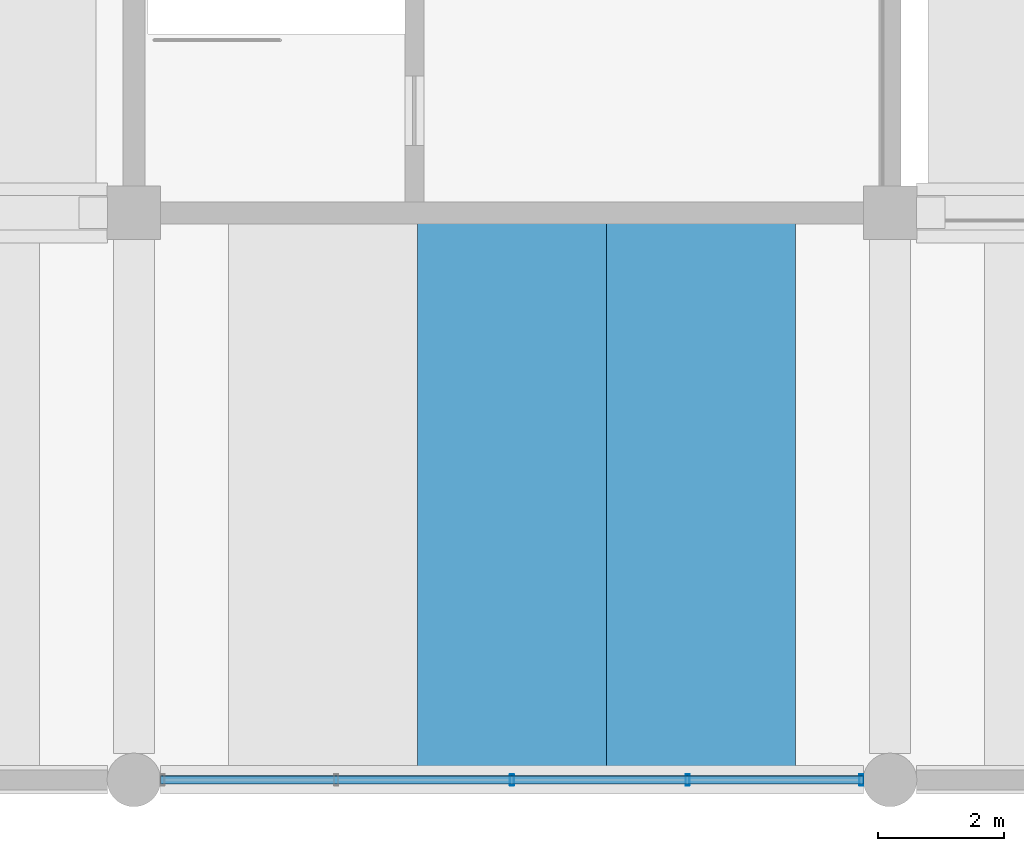
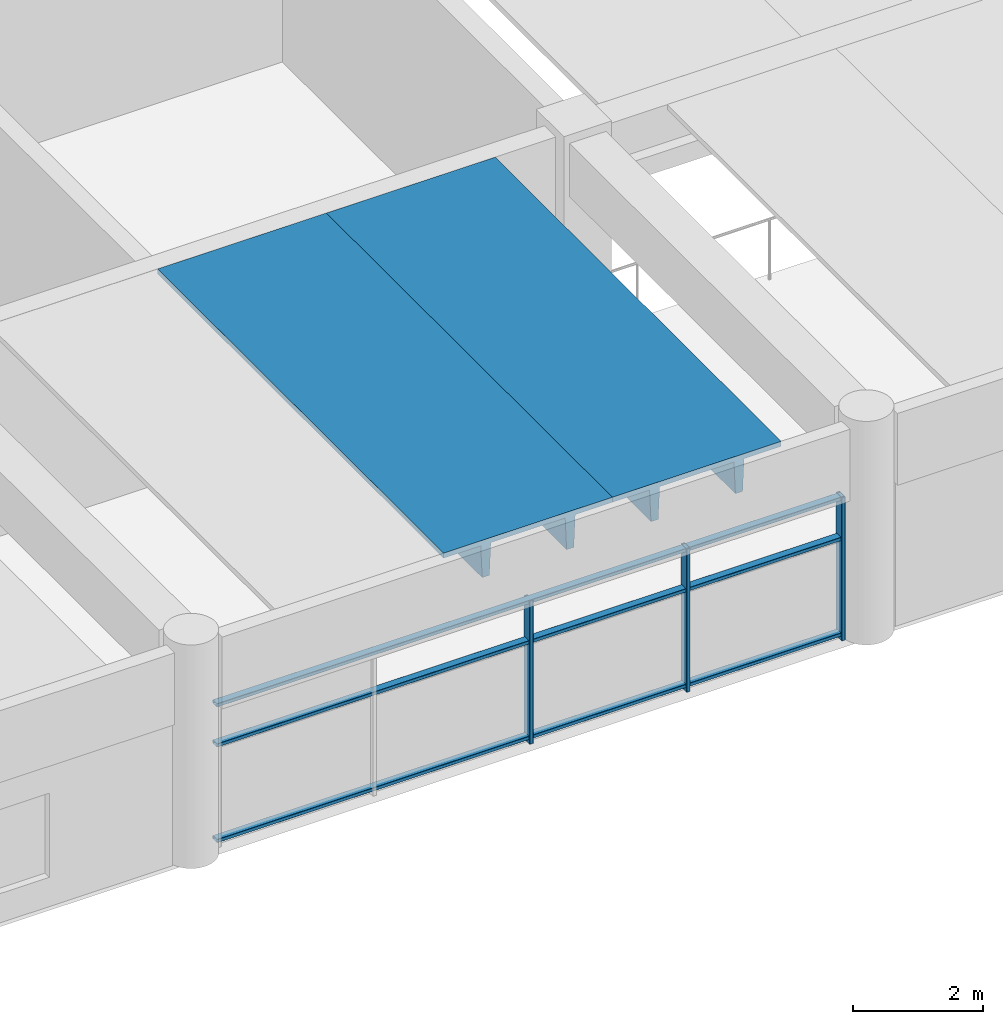
# One storey, part 4 of 50: 6 members, 2 beams, 1 element without a shape of its own.
"""IFC4 building model written with IfcOpenShell, lengths in metres."""

from ifc_helpers import new_model, si_unit, direction, frame, origin, origin_2d, place, context, subcontext, project, spatial, polyline, hollow_rectangle, outline, extrude, material, material_profile, profile_set, type_object, element, aggregate, save


model = new_model("IFC4")

# Units and contexts
model_context = context("Model", 3, precision=1e-05, world=origin(), true_north=direction((0.0, 1.0)))
body_context = subcontext(model_context, "Body", "Model", "MODEL_VIEW")
ifc_project = project(units=[si_unit("LENGTHUNIT", "METRE"), si_unit("AREAUNIT", "SQUARE_METRE"), si_unit("VOLUMEUNIT", "CUBIC_METRE"), si_unit("PLANEANGLEUNIT", "RADIAN"), si_unit("MASSUNIT", "GRAM", prefix="KILO")], contexts=[model_context])

# Site, building, storey
site_placement = place(None, origin())
site = spatial("IfcSite", under=ifc_project, at=site_placement, CompositionType="ELEMENT")
building_placement = place(site_placement, origin())
building = spatial("IfcBuilding", under=site, at=building_placement, Name="Girod Span Mobility Hub", CompositionType="ELEMENT")
storey_placement = place(building_placement, frame((0.0, 0.0, 5.39990234375)))
storey = spatial("IfcBuildingStorey", under=building, at=storey_placement, Name="L01", CompositionType="ELEMENT", Elevation=5.39990234375)

# Beams
ifc_material_1 = material(Name="Concrete C50/60", Category="concrete")
ifc_material_profile_1 = material_profile(ifc_material_1, outline(polyline([(-1.5, 0.35009765625), (-1.5, 0.2548828125), (-0.840087890625, 0.2548828125), (-0.81494140625, -0.35009765625), (-0.68505859375, -0.35009765625), (-0.659912109375, 0.2548828125), (0.659912109375, 0.2548828125), (0.68505859375, -0.35009765625), (0.81494140625, -0.35009765625), (0.840087890625, 0.2548828125), (1.5, 0.2548828125), (1.5, 0.35009765625), (-1.5, 0.35009765625)])), Name="DT-3000X700")
ifc_profile_set_1 = profile_set([ifc_material_profile_1], Name="Concrete C50/60")
beam_type = type_object("IfcBeamType", Name="BM-DT-3000X700", PredefinedType="JOIST", material=ifc_profile_set_1)
for number, where, z_axis, x_axis, name in (
    (1, (18.0, 0.02197265625, 3.690185546875), (0.0, 1.0, 0.0), (-1.0, 0.0, 0.0), "Double-Tee Deck 2/A-2 L01"),
    (2, (21.0, 0.02197265625, 3.690185546875), (0.0, 1.0, 0.0), (-1.0, 0.0, 0.0), "Double-Tee Deck 2/A-3 L01"),
):
    element("IfcBeam", number, at=place(storey_placement, frame(where, z_axis=z_axis, x_axis=x_axis)), inside=storey, type_object=beam_type, Name=name, PredefinedType="JOIST", context=body_context, shape_type="SweptSolid", body=[
        extrude(outline(polyline([(-1.5, 0.35009765625), (-1.5, 0.2548828125), (-0.840087890625, 0.2548828125), (-0.81494140625, -0.35009765625), (-0.68505859375, -0.35009765625), (-0.659912109375, 0.2548828125), (0.659912109375, 0.2548828125), (0.68505859375, -0.35009765625), (0.81494140625, -0.35009765625), (0.840087890625, 0.2548828125), (1.5, 0.2548828125), (1.5, 0.35009765625), (-1.5, 0.35009765625)])), origin(), (0.0, 0.0, 1.0), 8.805908203125),
    ])

# Curtain wall, members
ifc_material_2 = material(Name="Thermally Broken Anodised Aluminium", Category="aluminium")
curtain_wall_type = type_object("IfcCurtainWallType", Name="CW-1115X269", PredefinedType="USERDEFINED", material=ifc_material_2)
curtain_wall_placement = place(storey_placement, origin())
curtain_wall = element("IfcCurtainWall", 3, at=curtain_wall_placement, inside=storey, type_object=curtain_wall_type, Name="Concourse Storefront CW-L01-S02 L01", ObjectType="CONCOURSE STOREFRONT", PredefinedType="USERDEFINED")
ifc_material_3 = material(Name="Thermally Broken Anodised Aluminium", Category="aluminium")
ifc_material_profile_2 = material_profile(ifc_material_3, hollow_rectangle(XDim=0.179931640625, YDim=0.06494140625, WallThickness=0.00390625, InnerFilletRadius=0.00390625, OuterFilletRadius=0.008056640625, at=origin_2d()), Name="CW-ML-65X180")
ifc_profile_set_2 = profile_set([ifc_material_profile_2], Name="Thermally Broken Anodised Aluminium")
member_type_1 = type_object("IfcMemberType", Name="CWM-ML-2", PredefinedType="MULLION", material=ifc_profile_set_2)
member_1_placement = place(storey_placement, frame((18.0, 0.0, 0.0), z_axis=(0.0, 0.0, 1.0), x_axis=(0.0, 1.0, 0.0)))
member_1 = element("IfcMember", 4, at=member_1_placement, type_object=member_type_1, Name="Curtain Wall Mullion CW-L01-S02-M2", PredefinedType="MULLION", context=body_context, shape_type="SweptSolid", body=[
    extrude(hollow_rectangle(XDim=0.179931640625, YDim=0.06494140625, WallThickness=0.00390625, InnerFilletRadius=0.00390625, OuterFilletRadius=0.008056640625, at=origin_2d()), origin(), (0.0, 0.0, 1.0), 2.690185546875),
])
member_2_placement = place(storey_placement, frame((20.78857421875, 0.0, 0.0), z_axis=(0.0, 0.0, 1.0), x_axis=(0.0, 1.0, 0.0)))
member_2 = element("IfcMember", 5, at=member_2_placement, type_object=member_type_1, Name="Curtain Wall Mullion CW-L01-S02-M3", PredefinedType="MULLION", context=body_context, shape_type="SweptSolid", body=[
    extrude(hollow_rectangle(XDim=0.179931640625, YDim=0.06494140625, WallThickness=0.00390625, InnerFilletRadius=0.00390625, OuterFilletRadius=0.008056640625, at=origin_2d()), origin(), (0.0, 0.0, 1.0), 2.690185546875),
])
member_3_placement = place(storey_placement, frame((23.544921875, 0.0, 0.0), z_axis=(0.0, 0.0, 1.0), x_axis=(0.0, 1.0, 0.0)))
member_3 = element("IfcMember", 6, at=member_3_placement, type_object=member_type_1, Name="Curtain Wall Mullion CW-L01-S02-M4", PredefinedType="MULLION", context=body_context, shape_type="SweptSolid", body=[
    extrude(hollow_rectangle(XDim=0.179931640625, YDim=0.06494140625, WallThickness=0.00390625, InnerFilletRadius=0.00390625, OuterFilletRadius=0.008056640625, at=origin_2d()), origin(), (0.0, 0.0, 1.0), 2.690185546875),
])
ifc_material_4 = material(Name="Thermally Broken Anodised Aluminium", Category="aluminium")
ifc_material_profile_3 = material_profile(ifc_material_4, hollow_rectangle(XDim=0.135009765625, YDim=0.06494140625, WallThickness=0.00390625, InnerFilletRadius=0.00390625, OuterFilletRadius=0.008056640625, at=origin_2d()), Name="CW-TR-65X135")
ifc_profile_set_3 = profile_set([ifc_material_profile_3], Name="Thermally Broken Anodised Aluminium")
member_type_2 = type_object("IfcMemberType", Name="CWM-TR-2", PredefinedType="USERDEFINED", material=ifc_profile_set_3)
member_4_placement = place(storey_placement, frame((12.423095703125, 0.0, 0.107666015625), z_axis=(1.0, 0.0, 0.0), x_axis=(0.0, 1.0, 0.0)))
member_4 = element("IfcMember", 7, at=member_4_placement, type_object=member_type_2, Name="Curtain Wall Transom CW-L01-S02-T1", ObjectType="TRANSOM", PredefinedType="USERDEFINED", context=body_context, shape_type="SweptSolid", body=[
    extrude(hollow_rectangle(XDim=0.135009765625, YDim=0.06494140625, WallThickness=0.00390625, InnerFilletRadius=0.00390625, OuterFilletRadius=0.008056640625, at=origin_2d()), origin(), (0.0, 0.0, 1.0), 11.15380859375),
])
member_5_placement = place(storey_placement, frame((12.423095703125, 0.0, 1.904296875), z_axis=(1.0, 0.0, 0.0), x_axis=(0.0, 1.0, 0.0)))
member_5 = element("IfcMember", 8, at=member_5_placement, type_object=member_type_2, Name="Curtain Wall Transom CW-L01-S02-T2", ObjectType="TRANSOM", PredefinedType="USERDEFINED", context=body_context, shape_type="SweptSolid", body=[
    extrude(hollow_rectangle(XDim=0.135009765625, YDim=0.06494140625, WallThickness=0.00390625, InnerFilletRadius=0.00390625, OuterFilletRadius=0.008056640625, at=origin_2d()), origin(), (0.0, 0.0, 1.0), 11.15380859375),
])
member_6_placement = place(storey_placement, frame((12.423095703125, 0.0, 2.65771484375), z_axis=(1.0, 0.0, 0.0), x_axis=(0.0, 1.0, 0.0)))
member_6 = element("IfcMember", 9, at=member_6_placement, type_object=member_type_2, Name="Curtain Wall Transom CW-L01-S02-T3", ObjectType="TRANSOM", PredefinedType="USERDEFINED", context=body_context, shape_type="SweptSolid", body=[
    extrude(hollow_rectangle(XDim=0.135009765625, YDim=0.06494140625, WallThickness=0.00390625, InnerFilletRadius=0.00390625, OuterFilletRadius=0.008056640625, at=origin_2d()), origin(), (0.0, 0.0, 1.0), 11.15380859375),
])
aggregate(curtain_wall, [member_1, member_2, member_3, member_4, member_5, member_6])

save(model, "model.ifc")
